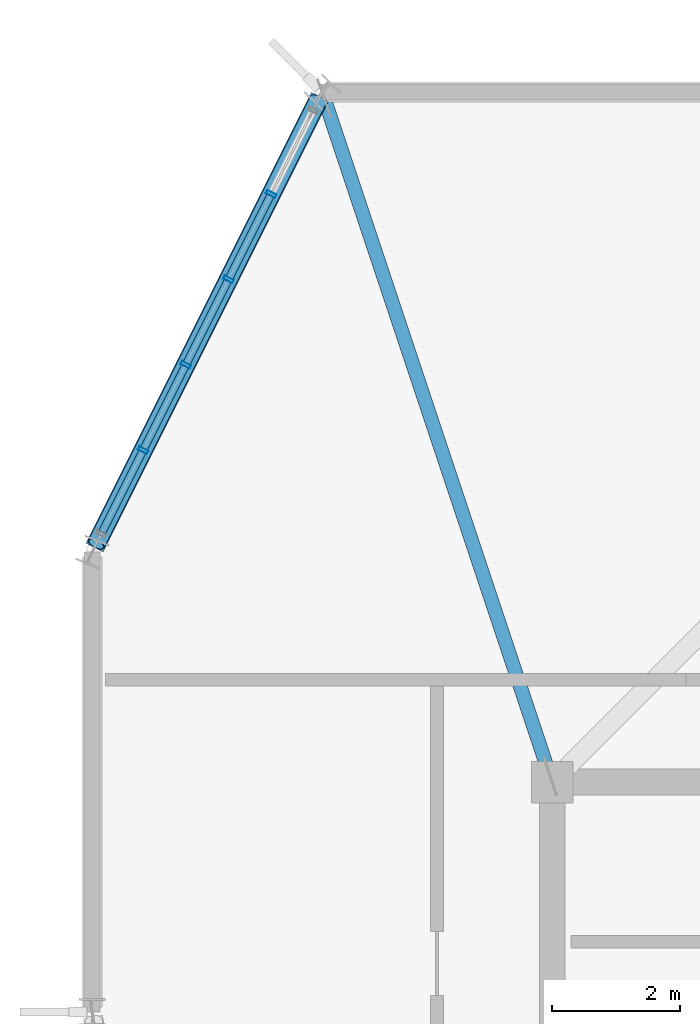
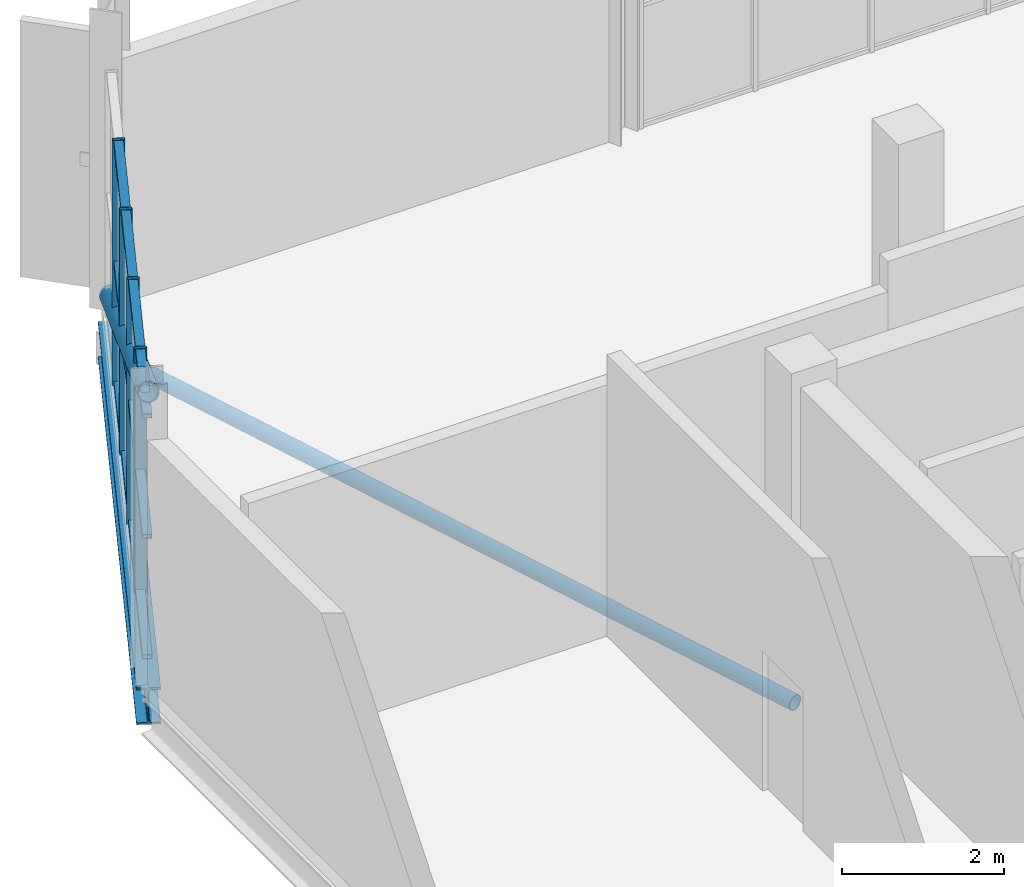
# One storey, part 8 of 22: 18 members, 1 beam, 1 element without a shape of its own.
"""IFC4 building model written with IfcOpenShell, lengths in metres."""

import ifcopenshell
import ifcopenshell.guid

model = None  # the IFC model being written
_history = None  # IfcOwnerHistory: only IFC2X3 demands one
_inside = {}  # id of a spatial element -> (the spatial element, [elements in it])
_under = {}  # id of a project, library or spatial element -> (it, [spatial elements below it])
_declared = {}  # id of a project -> (the project, [libraries it declares])
_typed = {}  # id of a type object -> (the type object, [elements of that type])
_made_of = {}  # id of a material, layer set ... -> (it, [elements and type objects made of it])


def new_model(schema):
    """Start an empty IFC model of exactly this schema.

    Asked for "IFC4X3", IfcOpenShell would pick the latest addendum, in which some entities
    have other attributes; the version numbers below select the first issue.
    IFC2X3 requires an IfcOwnerHistory on every rooted entity: one is made here for all.
    """
    global model, _history
    if schema == "IFC4X3":
        model = ifcopenshell.file(schema_version=(4, 3, 0, 0))
    else:
        model = ifcopenshell.file(schema=schema)
    _inside.clear()
    _under.clear()
    _declared.clear()
    _typed.clear()
    _made_of.clear()
    _history = None
    if model.schema == "IFC2X3":
        org = make("IfcOrganization", Name="unknown")
        user = make(
            "IfcPersonAndOrganization",
            ThePerson=make("IfcPerson", FamilyName="unknown"),
            TheOrganization=org,
        )
        app = make(
            "IfcApplication",
            ApplicationDeveloper=org,
            Version="unknown",
            ApplicationFullName="unknown",
            ApplicationIdentifier="unknown",
        )
        _history = make(
            "IfcOwnerHistory",
            OwningUser=user,
            OwningApplication=app,
            ChangeAction="ADDED",
            CreationDate=0,
        )
    return model


def make(cls, **values):
    """One entity of the class cls with the attributes given. An attribute that is None is left unset."""
    return model.create_entity(
        cls, **{name: value for name, value in values.items() if value is not None}
    )


def rooted(cls, **values):
    """An entity with a GlobalId (a new one), such as an element, a storey or a relation."""
    return make(cls, GlobalId=ifcopenshell.guid.new(), OwnerHistory=_history, **values)


def si_unit(unit_type, name, prefix=None):
    """IfcSIUnit, for example si_unit("LENGTHUNIT", "METRE", prefix="MILLI")."""
    return make("IfcSIUnit", UnitType=unit_type, Prefix=prefix, Name=name)


def assignment(units):
    """IfcUnitAssignment: the units of a project."""
    return None if units is None else make("IfcUnitAssignment", Units=units)


def point(xyz):
    """IfcCartesianPoint."""
    return None if xyz is None else make("IfcCartesianPoint", Coordinates=xyz)


def direction(xyz):
    """IfcDirection."""
    return None if xyz is None else make("IfcDirection", DirectionRatios=xyz)


def frame(location, z_axis=None, x_axis=None):
    """IfcAxis2Placement3D, a coordinate frame: its origin and axes. An axis left out is left unset."""
    return make(
        "IfcAxis2Placement3D",
        Location=point(location),
        Axis=direction(z_axis),
        RefDirection=direction(x_axis),
    )


def frame_2d(location, x_axis=None):
    """IfcAxis2Placement2D, a coordinate frame in the plane: its origin and x axis."""
    return make(
        "IfcAxis2Placement2D", Location=point(location), RefDirection=direction(x_axis)
    )


def origin():
    """The frame at (0, 0, 0) with its axes left unset."""
    return frame((0.0, 0.0, 0.0))


def origin_2d():
    """The frame at (0, 0) in the plane with its x axis left unset."""
    return frame_2d((0.0, 0.0))


def place(relative_to, where):
    """IfcLocalPlacement: puts the frame where relative to a parent placement (None: the world)."""
    return make(
        "IfcLocalPlacement", PlacementRelTo=relative_to, RelativePlacement=where
    )


def context(
    kind, dimensions, precision=None, world=None, true_north=None, identifier=None
):
    """IfcGeometricRepresentationContext, for example the 3D "Model" context."""
    return make(
        "IfcGeometricRepresentationContext",
        ContextIdentifier=identifier,
        ContextType=kind,
        CoordinateSpaceDimension=dimensions,
        Precision=precision,
        WorldCoordinateSystem=world,
        TrueNorth=true_north,
    )


def subcontext(parent, identifier, kind, view, scale=None):
    """IfcGeometricRepresentationSubContext, for example "Body" below "Model"."""
    return make(
        "IfcGeometricRepresentationSubContext",
        ContextIdentifier=identifier,
        ContextType=kind,
        ParentContext=parent,
        TargetScale=scale,
        TargetView=view,
    )


def project(units=None, contexts=None):
    """IfcProject with its units and contexts."""
    return rooted(
        "IfcProject",
        Name="project",
        RepresentationContexts=contexts,
        UnitsInContext=assignment(units),
    )


def spatial(cls, under=None, at=None, **own):
    """A site, building, storey or space (cls), placed at a placement, below another one or the project."""
    s = rooted(cls, ObjectPlacement=at, **own)
    if under is not None:
        _under.setdefault(under.id(), (under, []))[1].append(s)
    return s


def profile(cls, at=None, kind="AREA", **sizes):
    """A parametric profile (cls). Its sizes go by their IFC names, for example OverallWidth=200.0."""
    return make(cls, ProfileType=kind, Position=at, **sizes)


def hollow_rectangle(**sizes):
    """IfcRectangleHollowProfileDef."""
    return profile("IfcRectangleHollowProfileDef", **sizes)


def hollow_circle(**sizes):
    """IfcCircleHollowProfileDef."""
    return profile("IfcCircleHollowProfileDef", **sizes)


def i_section(**sizes):
    """IfcIShapeProfileDef."""
    return profile("IfcIShapeProfileDef", **sizes)


def extrude(swept, where, along, depth):
    """IfcExtrudedAreaSolid: the profile swept, set in the frame where, extruded along a direction by depth."""
    return make(
        "IfcExtrudedAreaSolid",
        SweptArea=swept,
        Position=where,
        ExtrudedDirection=direction(along),
        Depth=depth,
    )


def shape(context_of_items, identifier, shape_type, items):
    """IfcShapeRepresentation: the items that make up one representation, for example the "Body"."""
    return make(
        "IfcShapeRepresentation",
        ContextOfItems=context_of_items,
        RepresentationIdentifier=identifier,
        RepresentationType=shape_type,
        Items=items,
    )


def material(Name=None, Category=None):
    """IfcMaterial."""
    return make("IfcMaterial", Name=Name, Category=Category)


def layer(
    of_material, thickness, ventilated=None, Name=None, Category=None, Priority=None
):
    """IfcMaterialLayer: one layer of a wall or slab, of a material (None: an air gap)."""
    return make(
        "IfcMaterialLayer",
        Material=of_material,
        LayerThickness=thickness,
        IsVentilated=ventilated,
        Name=Name,
        Category=Category,
        Priority=Priority,
    )


def layer_set(layers, Name=None):
    """IfcMaterialLayerSet."""
    return make("IfcMaterialLayerSet", MaterialLayers=layers, LayerSetName=Name)


def material_profile(
    of_material, cross_section, Name=None, Category=None, Priority=None
):
    """IfcMaterialProfile: a cross section and its material."""
    return make(
        "IfcMaterialProfile",
        Name=Name,
        Material=of_material,
        Profile=cross_section,
        Priority=Priority,
        Category=Category,
    )


def profile_set(profiles, Name=None, composite=None):
    """IfcMaterialProfileSet."""
    return make(
        "IfcMaterialProfileSet",
        Name=Name,
        MaterialProfiles=profiles,
        CompositeProfile=composite,
    )


def made_of(thing, what):
    """Note that an element or type object is made of a material, layer set ...; save() writes the relation."""
    if what is not None:
        _made_of.setdefault(what.id(), (what, []))[1].append(thing)
    return thing


def type_object(cls, material=None, **own):
    """A type object (cls), such as IfcWallType, which elements share."""
    return made_of(rooted(cls, **own), material)


def element(
    cls,
    number,
    at=None,
    inside=None,
    cuts=None,
    type_object=None,
    material=None,
    context=None,
    identifier="Body",
    shape_type=None,
    held_by="IfcProductDefinitionShape",
    body=None,
    shapes=None,
    **own,
):
    """One element of the class cls, such as IfcWall. Its Tag is "e" and its number.

    at: its placement. inside: the storey or other place that contains it. cuts: it is an
    opening in that element (IfcRelVoidsElement). A single representation is given by context,
    identifier, shape_type and body (its items); several are given by shapes. held_by: the class
    of the entity that holds the representations. save() writes the other relations.
    """
    e = rooted(cls, Tag="e%d" % number, ObjectPlacement=at, **own)
    if body is not None:
        shapes = [shape(context, identifier, shape_type, body)]
    if shapes is not None:
        e.Representation = make(held_by, Representations=shapes)
    if inside is not None:
        _inside.setdefault(inside.id(), (inside, []))[1].append(e)
    if cuts is not None:
        rooted(
            "IfcRelVoidsElement", RelatingBuildingElement=cuts, RelatedOpeningElement=e
        )
    if type_object is not None:
        _typed.setdefault(type_object.id(), (type_object, []))[1].append(e)
    return made_of(e, material)


def aggregate(whole, parts):
    """IfcRelAggregates: a whole, such as a stair, and the parts it consists of."""
    return rooted("IfcRelAggregates", RelatingObject=whole, RelatedObjects=parts)


def save(model, path):
    """Write the relations noted so far, then the file.

    IfcRelAggregates (storeys below a building ...), IfcRelContainedInSpatialStructure (elements
    in a storey), IfcRelDefinesByType, IfcRelAssociatesMaterial and IfcRelDeclares: one each for
    every whole, place, type object, material and project.
    """
    for whole, parts in _under.values():
        aggregate(whole, parts)
    for where, things in _inside.values():
        rooted(
            "IfcRelContainedInSpatialStructure",
            RelatedElements=things,
            RelatingStructure=where,
        )
    for kind, things in _typed.values():
        rooted("IfcRelDefinesByType", RelatedObjects=things, RelatingType=kind)
    for what, things in _made_of.values():
        rooted("IfcRelAssociatesMaterial", RelatedObjects=things, RelatingMaterial=what)
    for by, libraries in _declared.values():
        rooted("IfcRelDeclares", RelatingContext=by, RelatedDefinitions=libraries)
    model.write(path)


model = new_model("IFC4")

# Units and contexts
model_context = context("Model", 3, precision=1e-05, world=origin(), true_north=direction((0.0, 1.0)))
body_context = subcontext(model_context, "Body", "Model", "MODEL_VIEW")
ifc_project = project(units=[si_unit("LENGTHUNIT", "METRE"), si_unit("AREAUNIT", "SQUARE_METRE"), si_unit("VOLUMEUNIT", "CUBIC_METRE"), si_unit("PLANEANGLEUNIT", "RADIAN"), si_unit("MASSUNIT", "GRAM", prefix="KILO")], contexts=[model_context])

# Site, building, storey
site_placement = place(None, origin())
site = spatial("IfcSite", under=ifc_project, at=site_placement, CompositionType="ELEMENT")
building_placement = place(site_placement, origin())
building = spatial("IfcBuilding", under=site, at=building_placement, Name="Solnavia Interchange Tower", CompositionType="ELEMENT")
storey_placement = place(building_placement, frame((0.0, 0.0, 317.699951171875)))
storey = spatial("IfcBuildingStorey", under=building, at=storey_placement, Name="C04", CompositionType="ELEMENT", Elevation=317.699951171875)

# Curtain wall, members
ifc_material_1 = material(Name="Aluminium Alloy 6063-T6", Category="aluminium")
ifc_layer = layer(ifc_material_1, 0.179931640625)
ifc_layer_set = layer_set([ifc_layer], Name="Aluminium Alloy 6063-T6")
curtain_wall_type = type_object("IfcCurtainWallType", Name="CurtainWall-Crown-CTW6", PredefinedType="NOTDEFINED", material=ifc_layer_set)
curtain_wall_placement = place(storey_placement, origin())
curtain_wall = element("IfcCurtainWall", 1, at=curtain_wall_placement, inside=storey, type_object=curtain_wall_type, Name="CTW-C04-R07 CTW-6 curtain wall", PredefinedType="NOTDEFINED")
ifc_material_profile_1 = material_profile(ifc_material_1, hollow_rectangle(XDim=0.06005859375, YDim=0.159912109375, WallThickness=0.00390625, at=origin_2d()), Name="ALU 160x60x4")
ifc_profile_set_1 = profile_set([ifc_material_profile_1], Name="Aluminium Alloy 6063-T6")
member_type_1 = type_object("IfcMemberType", Name="CW-Mullion-CWM-6", PredefinedType="MULLION", material=ifc_profile_set_1)
member_1_placement = place(storey_placement, frame((10.002685546875, 34.4052734375, 0.0), z_axis=(0.0, 0.0, 1.0), x_axis=(-0.447213595499, -0.894427191001, 0.0)))
member_1 = element("IfcMember", 2, at=member_1_placement, type_object=member_type_1, Name="CTW-6 mullion 2", PredefinedType="MULLION", context=body_context, shape_type="SweptSolid", body=[
    extrude(hollow_rectangle(XDim=0.06005859375, YDim=0.159912109375, WallThickness=0.00390625, at=origin_2d()), origin(), (0.0, 0.0, 1.0), 3.679931640625),
])
member_2_placement = place(storey_placement, frame((9.334228515625, 33.068359375, 0.0), z_axis=(0.0, 0.0, 1.0), x_axis=(-0.447213595499, -0.894427191001, 0.0)))
member_2 = element("IfcMember", 3, at=member_2_placement, type_object=member_type_1, Name="CTW-6 mullion 3", PredefinedType="MULLION", context=body_context, shape_type="SweptSolid", body=[
    extrude(hollow_rectangle(XDim=0.06005859375, YDim=0.159912109375, WallThickness=0.00390625, at=origin_2d()), origin(), (0.0, 0.0, 1.0), 3.679931640625),
])
member_3_placement = place(storey_placement, frame((8.665771484375, 31.731689453125, 0.0), z_axis=(0.0, 0.0, 1.0), x_axis=(-0.447213595499, -0.894427191001, 0.0)))
member_3 = element("IfcMember", 4, at=member_3_placement, type_object=member_type_1, Name="CTW-6 mullion 4", PredefinedType="MULLION", context=body_context, shape_type="SweptSolid", body=[
    extrude(hollow_rectangle(XDim=0.06005859375, YDim=0.159912109375, WallThickness=0.00390625, at=origin_2d()), origin(), (0.0, 0.0, 1.0), 3.679931640625),
])
member_4_placement = place(storey_placement, frame((7.997314453125, 30.394775390625, 0.0), z_axis=(0.0, 0.0, 1.0), x_axis=(-0.447213595499, -0.894427191001, 0.0)))
member_4 = element("IfcMember", 5, at=member_4_placement, type_object=member_type_1, Name="CTW-6 mullion 5", PredefinedType="MULLION", context=body_context, shape_type="SweptSolid", body=[
    extrude(hollow_rectangle(XDim=0.06005859375, YDim=0.159912109375, WallThickness=0.00390625, at=origin_2d()), origin(), (0.0, 0.0, 1.0), 3.679931640625),
])
ifc_material_profile_2 = material_profile(ifc_material_1, hollow_rectangle(XDim=0.06005859375, YDim=0.1201171875, WallThickness=0.00390625, at=origin_2d()), Name="ALU 120x60x4")
ifc_profile_set_2 = profile_set([ifc_material_profile_2], Name="Aluminium Alloy 6063-T6")
member_type_2 = type_object("IfcMemberType", Name="CW-Transom-CWT-6", PredefinedType="USERDEFINED", material=ifc_profile_set_2)
member_5_placement = place(storey_placement, frame((9.9892578125, 34.37841796875, 0.030029296875), z_axis=(-0.4472135955, -0.894427191, 0.0), x_axis=(0.0, 0.0, 1.0)))
member_5 = element("IfcMember", 6, at=member_5_placement, type_object=member_type_2, Name="CTW-6 transom 2.1", ObjectType="TRANSOM", PredefinedType="USERDEFINED", context=body_context, shape_type="SweptSolid", body=[
    extrude(hollow_rectangle(XDim=0.06005859375, YDim=0.1201171875, WallThickness=0.00390625, at=origin_2d()), origin(), (0.0, 0.0, 1.0), 1.4345703125),
])
member_6_placement = place(storey_placement, frame((9.9892578125, 34.37841796875, 1.840087890625), z_axis=(-0.4472135955, -0.894427191, 0.0), x_axis=(0.0, 0.0, 1.0)))
member_6 = element("IfcMember", 7, at=member_6_placement, type_object=member_type_2, Name="CTW-6 transom 2.2", ObjectType="TRANSOM", PredefinedType="USERDEFINED", context=body_context, shape_type="SweptSolid", body=[
    extrude(hollow_rectangle(XDim=0.06005859375, YDim=0.1201171875, WallThickness=0.00390625, at=origin_2d()), origin(), (0.0, 0.0, 1.0), 1.4345703125),
])
member_7_placement = place(storey_placement, frame((9.9892578125, 34.37841796875, 3.650146484375), z_axis=(-0.4472135955, -0.894427191, 0.0), x_axis=(0.0, 0.0, 1.0)))
member_7 = element("IfcMember", 8, at=member_7_placement, type_object=member_type_2, Name="CTW-6 transom 2.3", ObjectType="TRANSOM", PredefinedType="USERDEFINED", context=body_context, shape_type="SweptSolid", body=[
    extrude(hollow_rectangle(XDim=0.06005859375, YDim=0.1201171875, WallThickness=0.00390625, at=origin_2d()), origin(), (0.0, 0.0, 1.0), 1.4345703125),
])
member_8_placement = place(storey_placement, frame((9.32080078125, 33.04150390625, 0.030029296875), z_axis=(-0.447281673607, -0.894393148708, 0.0), x_axis=(0.0, 0.0, 1.0)))
member_8 = element("IfcMember", 9, at=member_8_placement, type_object=member_type_2, Name="CTW-6 transom 3.1", ObjectType="TRANSOM", PredefinedType="USERDEFINED", context=body_context, shape_type="SweptSolid", body=[
    extrude(hollow_rectangle(XDim=0.06005859375, YDim=0.1201171875, WallThickness=0.00390625, at=origin_2d()), origin(), (0.0, 0.0, 1.0), 1.434326171875),
])
member_9_placement = place(storey_placement, frame((9.32080078125, 33.04150390625, 1.840087890625), z_axis=(-0.447281673607, -0.894393148708, 0.0), x_axis=(0.0, 0.0, 1.0)))
member_9 = element("IfcMember", 10, at=member_9_placement, type_object=member_type_2, Name="CTW-6 transom 3.2", ObjectType="TRANSOM", PredefinedType="USERDEFINED", context=body_context, shape_type="SweptSolid", body=[
    extrude(hollow_rectangle(XDim=0.06005859375, YDim=0.1201171875, WallThickness=0.00390625, at=origin_2d()), origin(), (0.0, 0.0, 1.0), 1.434326171875),
])
member_10_placement = place(storey_placement, frame((9.32080078125, 33.04150390625, 3.650146484375), z_axis=(-0.447281673607, -0.894393148708, 0.0), x_axis=(0.0, 0.0, 1.0)))
member_10 = element("IfcMember", 11, at=member_10_placement, type_object=member_type_2, Name="CTW-6 transom 3.3", ObjectType="TRANSOM", PredefinedType="USERDEFINED", context=body_context, shape_type="SweptSolid", body=[
    extrude(hollow_rectangle(XDim=0.06005859375, YDim=0.1201171875, WallThickness=0.00390625, at=origin_2d()), origin(), (0.0, 0.0, 1.0), 1.434326171875),
])
member_11_placement = place(storey_placement, frame((8.65234375, 31.704833984375, 0.030029296875), z_axis=(-0.4472135955, -0.894427191, 0.0), x_axis=(0.0, 0.0, 1.0)))
member_11 = element("IfcMember", 12, at=member_11_placement, type_object=member_type_2, Name="CTW-6 transom 4.1", ObjectType="TRANSOM", PredefinedType="USERDEFINED", context=body_context, shape_type="SweptSolid", body=[
    extrude(hollow_rectangle(XDim=0.06005859375, YDim=0.1201171875, WallThickness=0.00390625, at=origin_2d()), origin(), (0.0, 0.0, 1.0), 1.4345703125),
])
member_12_placement = place(storey_placement, frame((8.65234375, 31.704833984375, 1.840087890625), z_axis=(-0.4472135955, -0.894427191, 0.0), x_axis=(0.0, 0.0, 1.0)))
member_12 = element("IfcMember", 13, at=member_12_placement, type_object=member_type_2, Name="CTW-6 transom 4.2", ObjectType="TRANSOM", PredefinedType="USERDEFINED", context=body_context, shape_type="SweptSolid", body=[
    extrude(hollow_rectangle(XDim=0.06005859375, YDim=0.1201171875, WallThickness=0.00390625, at=origin_2d()), origin(), (0.0, 0.0, 1.0), 1.4345703125),
])
member_13_placement = place(storey_placement, frame((8.65234375, 31.704833984375, 3.650146484375), z_axis=(-0.4472135955, -0.894427191, 0.0), x_axis=(0.0, 0.0, 1.0)))
member_13 = element("IfcMember", 14, at=member_13_placement, type_object=member_type_2, Name="CTW-6 transom 4.3", ObjectType="TRANSOM", PredefinedType="USERDEFINED", context=body_context, shape_type="SweptSolid", body=[
    extrude(hollow_rectangle(XDim=0.06005859375, YDim=0.1201171875, WallThickness=0.00390625, at=origin_2d()), origin(), (0.0, 0.0, 1.0), 1.4345703125),
])
member_14_placement = place(storey_placement, frame((7.98388671875, 30.367919921875, 0.030029296875), z_axis=(-0.4472135955, -0.894427191, 0.0), x_axis=(0.0, 0.0, 1.0)))
member_14 = element("IfcMember", 15, at=member_14_placement, type_object=member_type_2, Name="CTW-6 transom 5.1", ObjectType="TRANSOM", PredefinedType="USERDEFINED", context=body_context, shape_type="SweptSolid", body=[
    extrude(hollow_rectangle(XDim=0.06005859375, YDim=0.1201171875, WallThickness=0.00390625, at=origin_2d()), origin(), (0.0, 0.0, 1.0), 1.404541015625),
])
member_15_placement = place(storey_placement, frame((7.98388671875, 30.367919921875, 1.840087890625), z_axis=(-0.4472135955, -0.894427191, 0.0), x_axis=(0.0, 0.0, 1.0)))
member_15 = element("IfcMember", 16, at=member_15_placement, type_object=member_type_2, Name="CTW-6 transom 5.2", ObjectType="TRANSOM", PredefinedType="USERDEFINED", context=body_context, shape_type="SweptSolid", body=[
    extrude(hollow_rectangle(XDim=0.06005859375, YDim=0.1201171875, WallThickness=0.00390625, at=origin_2d()), origin(), (0.0, 0.0, 1.0), 1.404541015625),
])
member_16_placement = place(storey_placement, frame((7.98388671875, 30.367919921875, 3.650146484375), z_axis=(-0.4472135955, -0.894427191, 0.0), x_axis=(0.0, 0.0, 1.0)))
member_16 = element("IfcMember", 17, at=member_16_placement, type_object=member_type_2, Name="CTW-6 transom 5.3", ObjectType="TRANSOM", PredefinedType="USERDEFINED", context=body_context, shape_type="SweptSolid", body=[
    extrude(hollow_rectangle(XDim=0.06005859375, YDim=0.1201171875, WallThickness=0.00390625, at=origin_2d()), origin(), (0.0, 0.0, 1.0), 1.404541015625),
])
aggregate(curtain_wall, [member_1, member_2, member_3, member_4, member_5, member_6, member_7, member_8, member_9, member_10, member_11, member_12, member_13, member_14, member_15, member_16])

# Members
ifc_material_2 = material(Name="Steel S355", Category="steel")
ifc_material_profile_3 = material_profile(ifc_material_2, hollow_circle(Radius=0.136474609375, WallThickness=0.012451171875, at=origin_2d()), Name="CHS 273x12.5")
ifc_profile_set_3 = profile_set([ifc_material_profile_3], Name="Steel S355")
member_type_3 = type_object("IfcMemberType", Name="CrownFrame-Brace-CHS273", PredefinedType="BRACE", material=ifc_profile_set_3)
member_17_placement = place(storey_placement, frame((10.7373046875, 35.874755859375, 0.179931640625), z_axis=(-0.398015172744, -0.796058311704, 0.455933204135), x_axis=(0.894433475355, -0.447201026568, 0.0)))
element("IfcMember", 18, at=member_17_placement, inside=storey, type_object=member_type_3, Name="BRC-C04-CF07 CROWN FRAME ring brace", PredefinedType="BRACE", context=body_context, shape_type="SweptSolid", body=[
    extrude(hollow_circle(Radius=0.136474609375, WallThickness=0.012451171875, at=origin_2d()), origin(), (0.0, 0.0, 1.0), 8.729736328125),
])
ifc_material_profile_4 = material_profile(ifc_material_2, hollow_circle(Radius=0.109619140625, WallThickness=0.010009765625, at=origin_2d()), Name="CHS 219.1x10")
ifc_profile_set_4 = profile_set([ifc_material_profile_4], Name="Steel S355")
member_type_4 = type_object("IfcMemberType", Name="CrownFrame-Collar-CHS219", PredefinedType="COLLAR", material=ifc_profile_set_4)
member_18_placement = place(storey_placement, frame((14.368408203125, 25.294921875, -0.800048828125), z_axis=(-0.316240863558, 0.948678932103, 0.0), x_axis=(-0.948678932103, -0.316240863558, 0.0)))
element("IfcMember", 19, at=member_18_placement, inside=storey, type_object=member_type_4, Name="OTR-C04-CL05 CROWN FRAME radial collar member", PredefinedType="COLLAR", context=body_context, shape_type="SweptSolid", body=[
    extrude(hollow_circle(Radius=0.109619140625, WallThickness=0.010009765625, at=origin_2d()), origin(), (0.0, 0.0, 1.0), 11.18408203125),
])

# Beam
ifc_material_3 = material(Name="Steel S460", Category="steel")
ifc_material_profile_5 = material_profile(ifc_material_3, i_section(OverallWidth=0.300048828125, OverallDepth=0.550048828125, WebThickness=0.014892578125, FlangeThickness=0.029052734375, FilletRadius=0.027099609375, at=origin_2d()), Name="HEB 550")
ifc_profile_set_5 = profile_set([ifc_material_profile_5], Name="Steel S460")
beam_type = type_object("IfcBeamType", Name="CrownFrame-Ring-HEB550", PredefinedType="BEAM", material=ifc_profile_set_5)
beam_placement = place(storey_placement, frame((10.76416015625, 35.928466796875, -0.52490234375), z_axis=(-0.447201217898, -0.894433379694, 0.0), x_axis=(0.894433379694, -0.447201217898, 0.0)))
element("IfcBeam", 20, at=beam_placement, inside=storey, type_object=beam_type, Name="GRD-C04-CR07 CROWN FRAME outer collar ring beam", PredefinedType="BEAM", context=body_context, shape_type="SweptSolid", body=[
    extrude(i_section(OverallWidth=0.300048828125, OverallDepth=0.550048828125, WebThickness=0.014892578125, FlangeThickness=0.029052734375, FilletRadius=0.027099609375, at=origin_2d()), origin(), (0.0, 0.0, 1.0), 7.889892578125),
])

save(model, "model.ifc")
